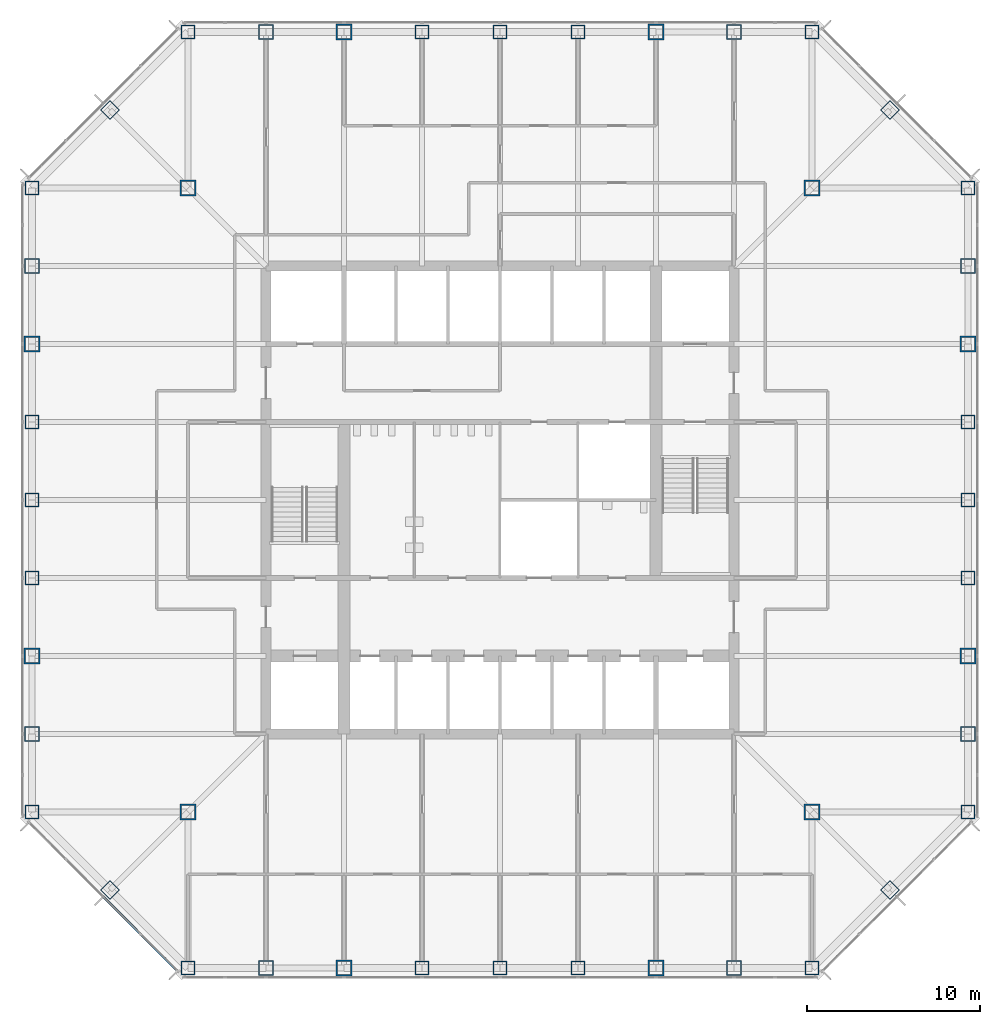
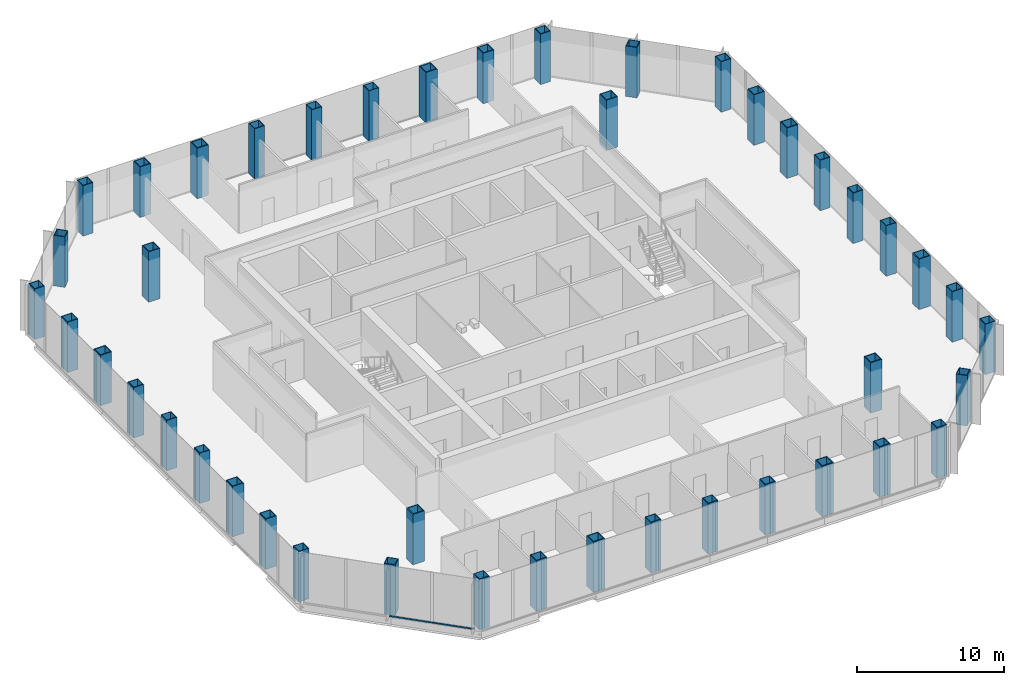
# One storey, part 1 of 13: 44 columns, 2 members, 1 element without a shape of its own.
"""IFC4 building model written with IfcOpenShell, lengths in metres."""

import ifcopenshell
import ifcopenshell.guid

model = None  # the IFC model being written
_history = None  # IfcOwnerHistory: only IFC2X3 demands one
_inside = {}  # id of a spatial element -> (the spatial element, [elements in it])
_under = {}  # id of a project, library or spatial element -> (it, [spatial elements below it])
_declared = {}  # id of a project -> (the project, [libraries it declares])
_typed = {}  # id of a type object -> (the type object, [elements of that type])
_made_of = {}  # id of a material, layer set ... -> (it, [elements and type objects made of it])


def new_model(schema):
    """Start an empty IFC model of exactly this schema.

    Asked for "IFC4X3", IfcOpenShell would pick the latest addendum, in which some entities
    have other attributes; the version numbers below select the first issue.
    IFC2X3 requires an IfcOwnerHistory on every rooted entity: one is made here for all.
    """
    global model, _history
    if schema == "IFC4X3":
        model = ifcopenshell.file(schema_version=(4, 3, 0, 0))
    else:
        model = ifcopenshell.file(schema=schema)
    _inside.clear()
    _under.clear()
    _declared.clear()
    _typed.clear()
    _made_of.clear()
    _history = None
    if model.schema == "IFC2X3":
        org = make("IfcOrganization", Name="unknown")
        user = make(
            "IfcPersonAndOrganization",
            ThePerson=make("IfcPerson", FamilyName="unknown"),
            TheOrganization=org,
        )
        app = make(
            "IfcApplication",
            ApplicationDeveloper=org,
            Version="unknown",
            ApplicationFullName="unknown",
            ApplicationIdentifier="unknown",
        )
        _history = make(
            "IfcOwnerHistory",
            OwningUser=user,
            OwningApplication=app,
            ChangeAction="ADDED",
            CreationDate=0,
        )
    return model


def make(cls, **values):
    """One entity of the class cls with the attributes given. An attribute that is None is left unset."""
    return model.create_entity(
        cls, **{name: value for name, value in values.items() if value is not None}
    )


def rooted(cls, **values):
    """An entity with a GlobalId (a new one), such as an element, a storey or a relation."""
    return make(cls, GlobalId=ifcopenshell.guid.new(), OwnerHistory=_history, **values)


def si_unit(unit_type, name, prefix=None):
    """IfcSIUnit, for example si_unit("LENGTHUNIT", "METRE", prefix="MILLI")."""
    return make("IfcSIUnit", UnitType=unit_type, Prefix=prefix, Name=name)


def assignment(units):
    """IfcUnitAssignment: the units of a project."""
    return None if units is None else make("IfcUnitAssignment", Units=units)


def point(xyz):
    """IfcCartesianPoint."""
    return None if xyz is None else make("IfcCartesianPoint", Coordinates=xyz)


def direction(xyz):
    """IfcDirection."""
    return None if xyz is None else make("IfcDirection", DirectionRatios=xyz)


def frame(location, z_axis=None, x_axis=None):
    """IfcAxis2Placement3D, a coordinate frame: its origin and axes. An axis left out is left unset."""
    return make(
        "IfcAxis2Placement3D",
        Location=point(location),
        Axis=direction(z_axis),
        RefDirection=direction(x_axis),
    )


def frame_2d(location, x_axis=None):
    """IfcAxis2Placement2D, a coordinate frame in the plane: its origin and x axis."""
    return make(
        "IfcAxis2Placement2D", Location=point(location), RefDirection=direction(x_axis)
    )


def origin():
    """The frame at (0, 0, 0) with its axes left unset."""
    return frame((0.0, 0.0, 0.0))


def origin_2d():
    """The frame at (0, 0) in the plane with its x axis left unset."""
    return frame_2d((0.0, 0.0))


def place(relative_to, where):
    """IfcLocalPlacement: puts the frame where relative to a parent placement (None: the world)."""
    return make(
        "IfcLocalPlacement", PlacementRelTo=relative_to, RelativePlacement=where
    )


def context(
    kind, dimensions, precision=None, world=None, true_north=None, identifier=None
):
    """IfcGeometricRepresentationContext, for example the 3D "Model" context."""
    return make(
        "IfcGeometricRepresentationContext",
        ContextIdentifier=identifier,
        ContextType=kind,
        CoordinateSpaceDimension=dimensions,
        Precision=precision,
        WorldCoordinateSystem=world,
        TrueNorth=true_north,
    )


def subcontext(parent, identifier, kind, view, scale=None):
    """IfcGeometricRepresentationSubContext, for example "Body" below "Model"."""
    return make(
        "IfcGeometricRepresentationSubContext",
        ContextIdentifier=identifier,
        ContextType=kind,
        ParentContext=parent,
        TargetScale=scale,
        TargetView=view,
    )


def project(units=None, contexts=None):
    """IfcProject with its units and contexts."""
    return rooted(
        "IfcProject",
        Name="project",
        RepresentationContexts=contexts,
        UnitsInContext=assignment(units),
    )


def spatial(cls, under=None, at=None, **own):
    """A site, building, storey or space (cls), placed at a placement, below another one or the project."""
    s = rooted(cls, ObjectPlacement=at, **own)
    if under is not None:
        _under.setdefault(under.id(), (under, []))[1].append(s)
    return s


def profile(cls, at=None, kind="AREA", **sizes):
    """A parametric profile (cls). Its sizes go by their IFC names, for example OverallWidth=200.0."""
    return make(cls, ProfileType=kind, Position=at, **sizes)


def rectangle(**sizes):
    """IfcRectangleProfileDef."""
    return profile("IfcRectangleProfileDef", **sizes)


def hollow_rectangle(**sizes):
    """IfcRectangleHollowProfileDef."""
    return profile("IfcRectangleHollowProfileDef", **sizes)


def extrude(swept, where, along, depth):
    """IfcExtrudedAreaSolid: the profile swept, set in the frame where, extruded along a direction by depth."""
    return make(
        "IfcExtrudedAreaSolid",
        SweptArea=swept,
        Position=where,
        ExtrudedDirection=direction(along),
        Depth=depth,
    )


def shape(context_of_items, identifier, shape_type, items):
    """IfcShapeRepresentation: the items that make up one representation, for example the "Body"."""
    return make(
        "IfcShapeRepresentation",
        ContextOfItems=context_of_items,
        RepresentationIdentifier=identifier,
        RepresentationType=shape_type,
        Items=items,
    )


def material(Name=None, Category=None):
    """IfcMaterial."""
    return make("IfcMaterial", Name=Name, Category=Category)


def material_profile(
    of_material, cross_section, Name=None, Category=None, Priority=None
):
    """IfcMaterialProfile: a cross section and its material."""
    return make(
        "IfcMaterialProfile",
        Name=Name,
        Material=of_material,
        Profile=cross_section,
        Priority=Priority,
        Category=Category,
    )


def profile_set(profiles, Name=None, composite=None):
    """IfcMaterialProfileSet."""
    return make(
        "IfcMaterialProfileSet",
        Name=Name,
        MaterialProfiles=profiles,
        CompositeProfile=composite,
    )


def made_of(thing, what):
    """Note that an element or type object is made of a material, layer set ...; save() writes the relation."""
    if what is not None:
        _made_of.setdefault(what.id(), (what, []))[1].append(thing)
    return thing


def type_object(cls, material=None, **own):
    """A type object (cls), such as IfcWallType, which elements share."""
    return made_of(rooted(cls, **own), material)


def element(
    cls,
    number,
    at=None,
    inside=None,
    cuts=None,
    type_object=None,
    material=None,
    context=None,
    identifier="Body",
    shape_type=None,
    held_by="IfcProductDefinitionShape",
    body=None,
    shapes=None,
    **own,
):
    """One element of the class cls, such as IfcWall. Its Tag is "e" and its number.

    at: its placement. inside: the storey or other place that contains it. cuts: it is an
    opening in that element (IfcRelVoidsElement). A single representation is given by context,
    identifier, shape_type and body (its items); several are given by shapes. held_by: the class
    of the entity that holds the representations. save() writes the other relations.
    """
    e = rooted(cls, Tag="e%d" % number, ObjectPlacement=at, **own)
    if body is not None:
        shapes = [shape(context, identifier, shape_type, body)]
    if shapes is not None:
        e.Representation = make(held_by, Representations=shapes)
    if inside is not None:
        _inside.setdefault(inside.id(), (inside, []))[1].append(e)
    if cuts is not None:
        rooted(
            "IfcRelVoidsElement", RelatingBuildingElement=cuts, RelatedOpeningElement=e
        )
    if type_object is not None:
        _typed.setdefault(type_object.id(), (type_object, []))[1].append(e)
    return made_of(e, material)


def aggregate(whole, parts):
    """IfcRelAggregates: a whole, such as a stair, and the parts it consists of."""
    return rooted("IfcRelAggregates", RelatingObject=whole, RelatedObjects=parts)


def save(model, path):
    """Write the relations noted so far, then the file.

    IfcRelAggregates (storeys below a building ...), IfcRelContainedInSpatialStructure (elements
    in a storey), IfcRelDefinesByType, IfcRelAssociatesMaterial and IfcRelDeclares: one each for
    every whole, place, type object, material and project.
    """
    for whole, parts in _under.values():
        aggregate(whole, parts)
    for where, things in _inside.values():
        rooted(
            "IfcRelContainedInSpatialStructure",
            RelatedElements=things,
            RelatingStructure=where,
        )
    for kind, things in _typed.values():
        rooted("IfcRelDefinesByType", RelatedObjects=things, RelatingType=kind)
    for what, things in _made_of.values():
        rooted("IfcRelAssociatesMaterial", RelatedObjects=things, RelatingMaterial=what)
    for by, libraries in _declared.values():
        rooted("IfcRelDeclares", RelatingContext=by, RelatedDefinitions=libraries)
    model.write(path)


model = new_model("IFC4")

# Units and contexts
model_context = context("Model", 3, precision=1e-05, world=origin(), true_north=direction((0.0, 1.0)))
body_context = subcontext(model_context, "Body", "Model", "MODEL_VIEW")
ifc_project = project(units=[si_unit("LENGTHUNIT", "METRE"), si_unit("AREAUNIT", "SQUARE_METRE"), si_unit("VOLUMEUNIT", "CUBIC_METRE"), si_unit("PLANEANGLEUNIT", "RADIAN"), si_unit("MASSUNIT", "GRAM", prefix="KILO")], contexts=[model_context])

# Site, building, storey
site_placement = place(None, origin())
site = spatial("IfcSite", under=ifc_project, at=site_placement, CompositionType="ELEMENT")
building_placement = place(site_placement, origin())
building = spatial("IfcBuilding", under=site, at=building_placement, Name="Corais Broadcast Tower", CompositionType="ELEMENT")
storey_placement = place(building_placement, frame((0.0, 0.0, 83.60009765625)))
storey = spatial("IfcBuildingStorey", under=building, at=storey_placement, Name="L18", CompositionType="ELEMENT", Elevation=83.60009765625)

# Columns
ifc_material_1 = material(Name="Steel ASTM A572 Grade 50", Category="steel")
ifc_material_profile_1 = material_profile(ifc_material_1, hollow_rectangle(XDim=0.800048828125, YDim=0.800048828125, WallThickness=0.044921875, at=origin_2d()), Name="BOX 800x800x45")
ifc_profile_set_1 = profile_set([ifc_material_profile_1], Name="Steel ASTM A572 Grade 50")
column_type_1 = type_object("IfcColumnType", Name="Column BOX 800x800x45", PredefinedType="COLUMN", material=ifc_profile_set_1)
for number, where, z_axis, x_axis, name in (
    (1, (9.0, 0.0, 0.0), (0.0, 0.0, 1.0), (1.0, 0.0, 0.0), "C3 A/5"),
    (2, (22.5, 0.0, 0.0), (0.0, 0.0, 1.0), (1.0, 0.0, 0.0), "C3 A/8"),
    (3, (27.0, 0.0, 0.0), (0.0, 0.0, 1.0), (1.0, 0.0, 0.0), "C3 A/9"),
    (4, (31.5, 0.0, 0.0), (0.0, 0.0, 1.0), (1.0, 0.0, 0.0), "C3 A/10"),
    (5, (45.0, 0.0, 0.0), (0.0, 0.0, 1.0), (1.0, 0.0, 0.0), "C3 A/13"),
    (6, (54.0, 9.0, 0.0), (0.0, 0.0, 1.0), (1.0, 0.0, 0.0), "C3 C/15"),
    (7, (54.0, 22.5, 0.0), (0.0, 0.0, 1.0), (1.0, 0.0, 0.0), "C3 F/15"),
    (8, (54.0, 27.0, 0.0), (0.0, 0.0, 1.0), (1.0, 0.0, 0.0), "C3 G/15"),
    (9, (54.0, 31.5, 0.0), (0.0, 0.0, 1.0), (1.0, 0.0, 0.0), "C3 H/15"),
    (10, (54.0, 45.0, 0.0), (0.0, 0.0, 1.0), (1.0, 0.0, 0.0), "C3 L/15"),
    (11, (45.0, 54.0, 0.0), (0.0, 0.0, 1.0), (1.0, 0.0, 0.0), "C3 N/13"),
    (12, (31.5, 54.0, 0.0), (0.0, 0.0, 1.0), (1.0, 0.0, 0.0), "C3 N/10"),
    (13, (27.0, 54.0, 0.0), (0.0, 0.0, 1.0), (1.0, 0.0, 0.0), "C3 N/9"),
    (14, (22.5, 54.0, 0.0), (0.0, 0.0, 1.0), (1.0, 0.0, 0.0), "C3 N/8"),
    (15, (9.0, 54.0, 0.0), (0.0, 0.0, 1.0), (1.0, 0.0, 0.0), "C3 N/5"),
    (16, (0.0, 45.0, 0.0), (0.0, 0.0, 1.0), (1.0, 0.0, 0.0), "C3 L/3"),
    (17, (0.0, 31.5, 0.0), (0.0, 0.0, 1.0), (1.0, 0.0, 0.0), "C3 H/3"),
    (18, (0.0, 27.0, 0.0), (0.0, 0.0, 1.0), (1.0, 0.0, 0.0), "C3 G/3"),
    (19, (0.0, 22.5, 0.0), (0.0, 0.0, 1.0), (1.0, 0.0, 0.0), "C3 F/3"),
    (20, (0.0, 9.0, 0.0), (0.0, 0.0, 1.0), (1.0, 0.0, 0.0), "C3 C/3"),
    (21, (4.5, 4.5, 0.0), (0.0, 0.0, 1.0), (0.707106781187, 0.707106781187, 0.0), "C3 B/4"),
    (22, (49.5, 4.5, 0.0), (0.0, 0.0, 1.0), (0.707106781187, 0.707106781187, 0.0), "C3 B/14"),
    (23, (49.5, 49.5, 0.0), (0.0, 0.0, 1.0), (0.707106781187, 0.707106781187, 0.0), "C3 M/14"),
    (24, (4.5, 49.5, 0.0), (0.0, 0.0, 1.0), (0.707106781187, 0.707106781187, 0.0), "C3 M/4"),
):
    element("IfcColumn", number, at=place(storey_placement, frame(where, z_axis=z_axis, x_axis=x_axis)), inside=storey, type_object=column_type_1, Name=name, PredefinedType="COLUMN", context=body_context, shape_type="SweptSolid", body=[
        extrude(hollow_rectangle(XDim=0.800048828125, YDim=0.800048828125, WallThickness=0.044921875, at=origin_2d()), origin(), (0.0, 0.0, 1.0), 4.199951171875),
    ])
ifc_material_2 = material(Name="Steel ASTM A572 Grade 50", Category="steel")
ifc_material_profile_2 = material_profile(ifc_material_2, hollow_rectangle(XDim=0.85009765625, YDim=0.85009765625, WallThickness=0.050048828125, at=origin_2d()), Name="BOX 850x850x50")
ifc_profile_set_2 = profile_set([ifc_material_profile_2], Name="Steel ASTM A572 Grade 50")
column_type_2 = type_object("IfcColumnType", Name="Column BOX 850x850x50", PredefinedType="COLUMN", material=ifc_profile_set_2)
for number, where, z_axis, x_axis, name in (
    (25, (13.5, 0.0, 0.0), (0.0, 0.0, 1.0), (1.0, 0.0, 0.0), "C1 A/6"),
    (26, (40.5, 0.0, 0.0), (0.0, 0.0, 1.0), (1.0, 0.0, 0.0), "C1 A/12"),
    (27, (54.0, 13.5, 0.0), (0.0, 0.0, 1.0), (1.0, 0.0, 0.0), "C1 D/15"),
    (28, (54.0, 40.5, 0.0), (0.0, 0.0, 1.0), (1.0, 0.0, 0.0), "C1 K/15"),
    (29, (40.5, 54.0, 0.0), (0.0, 0.0, 1.0), (1.0, 0.0, 0.0), "C1 N/12"),
    (30, (13.5, 54.0, 0.0), (0.0, 0.0, 1.0), (1.0, 0.0, 0.0), "C1 N/6"),
    (31, (0.0, 40.5, 0.0), (0.0, 0.0, 1.0), (1.0, 0.0, 0.0), "C1 K/3"),
    (32, (0.0, 13.5, 0.0), (0.0, 0.0, 1.0), (1.0, 0.0, 0.0), "C1 D/3"),
):
    element("IfcColumn", number, at=place(storey_placement, frame(where, z_axis=z_axis, x_axis=x_axis)), inside=storey, type_object=column_type_2, Name=name, PredefinedType="COLUMN", context=body_context, shape_type="SweptSolid", body=[
        extrude(hollow_rectangle(XDim=0.85009765625, YDim=0.85009765625, WallThickness=0.050048828125, at=origin_2d()), origin(), (0.0, 0.0, 1.0), 4.199951171875),
    ])
ifc_material_3 = material(Name="Steel ASTM A572 Grade 50", Category="steel")
ifc_material_profile_3 = material_profile(ifc_material_3, hollow_rectangle(XDim=0.89990234375, YDim=0.89990234375, WallThickness=0.06298828125, at=origin_2d()), Name="BOX 900x900x63")
ifc_profile_set_3 = profile_set([ifc_material_profile_3], Name="Steel ASTM A572 Grade 50")
column_type_3 = type_object("IfcColumnType", Name="Column BOX 900x900x63", PredefinedType="COLUMN", material=ifc_profile_set_3)
for number, where, z_axis, x_axis, name in (
    (33, (18.0, 0.0, 0.0), (0.0, 0.0, 1.0), (1.0, 0.0, 0.0), "C2 A/7"),
    (34, (36.0, 0.0, 0.0), (0.0, 0.0, 1.0), (1.0, 0.0, 0.0), "C2 A/11"),
    (35, (54.0, 18.0, 0.0), (0.0, 0.0, 1.0), (1.0, 0.0, 0.0), "C2 E/15"),
    (36, (54.0, 36.0, 0.0), (0.0, 0.0, 1.0), (1.0, 0.0, 0.0), "C2 J/15"),
    (37, (36.0, 54.0, 0.0), (0.0, 0.0, 1.0), (1.0, 0.0, 0.0), "C2 N/11"),
    (38, (18.0, 54.0, 0.0), (0.0, 0.0, 1.0), (1.0, 0.0, 0.0), "C2 N/7"),
    (39, (0.0, 36.0, 0.0), (0.0, 0.0, 1.0), (1.0, 0.0, 0.0), "C2 J/3"),
    (40, (0.0, 18.0, 0.0), (0.0, 0.0, 1.0), (1.0, 0.0, 0.0), "C2 E/3"),
    (41, (9.0, 9.0, 0.0), (0.0, 0.0, 1.0), (1.0, 0.0, 0.0), "C2 C/5"),
    (42, (45.0, 9.0, 0.0), (0.0, 0.0, 1.0), (1.0, 0.0, 0.0), "C2 C/13"),
    (43, (45.0, 45.0, 0.0), (0.0, 0.0, 1.0), (1.0, 0.0, 0.0), "C2 L/13"),
    (44, (9.0, 45.0, 0.0), (0.0, 0.0, 1.0), (1.0, 0.0, 0.0), "C2 L/5"),
):
    element("IfcColumn", number, at=place(storey_placement, frame(where, z_axis=z_axis, x_axis=x_axis)), inside=storey, type_object=column_type_3, Name=name, PredefinedType="COLUMN", context=body_context, shape_type="SweptSolid", body=[
        extrude(hollow_rectangle(XDim=0.89990234375, YDim=0.89990234375, WallThickness=0.06298828125, at=origin_2d()), origin(), (0.0, 0.0, 1.0), 4.199951171875),
    ])

# Curtain wall, members
ifc_material_4 = material(Name="Aluminium and glass", Category="aluminium")
curtain_wall_type = type_object("IfcCurtainWallType", Name="Unitised fritted curtain wall CW1", PredefinedType="NOTDEFINED", material=ifc_material_4)
curtain_wall_placement = place(storey_placement, origin())
curtain_wall = element("IfcCurtainWall", 45, at=curtain_wall_placement, inside=storey, type_object=curtain_wall_type, Name="CW1 curtain wall L18 1", PredefinedType="NOTDEFINED")
ifc_material_5 = material(Name="Aluminium 6063-T6", Category="aluminium")
ifc_material_profile_4 = material_profile(ifc_material_5, rectangle(XDim=0.139892578125, YDim=0.06494140625, at=origin_2d()), Name="Transom CW1 65x140")
ifc_profile_set_4 = profile_set([ifc_material_profile_4], Name="Aluminium 6063-T6")
member_type = type_object("IfcMemberType", Name="Transom CW1 65x140", PredefinedType="USERDEFINED", material=ifc_profile_set_4)
member_1_placement = place(storey_placement, frame((8.37255859375, -0.150390625, 0.032470703125), z_axis=(-0.707106781187, 0.707106781187, 0.0), x_axis=(-0.707106781187, -0.707106781187, 0.0)))
member_1 = element("IfcMember", 46, at=member_1_placement, type_object=member_type, Name="CW1 transom 1.1", ObjectType="TRANSOM", PredefinedType="USERDEFINED", context=body_context, shape_type="SweptSolid", body=[
    extrude(rectangle(XDim=0.139892578125, YDim=0.06494140625, at=origin_2d()), origin(), (0.0, 0.0, 1.0), 2.9482421875),
])
member_2_placement = place(storey_placement, frame((6.241943359375, 1.980224609375, 0.032470703125), z_axis=(-0.707106781187, 0.707106781187, 0.0), x_axis=(-0.707106781187, -0.707106781187, 0.0)))
member_2 = element("IfcMember", 47, at=member_2_placement, type_object=member_type, Name="CW1 transom 2.1", ObjectType="TRANSOM", PredefinedType="USERDEFINED", context=body_context, shape_type="SweptSolid", body=[
    extrude(rectangle(XDim=0.139892578125, YDim=0.06494140625, at=origin_2d()), origin(), (0.0, 0.0, 1.0), 2.98095703125),
])
aggregate(curtain_wall, [member_1, member_2])

save(model, "model.ifc")
